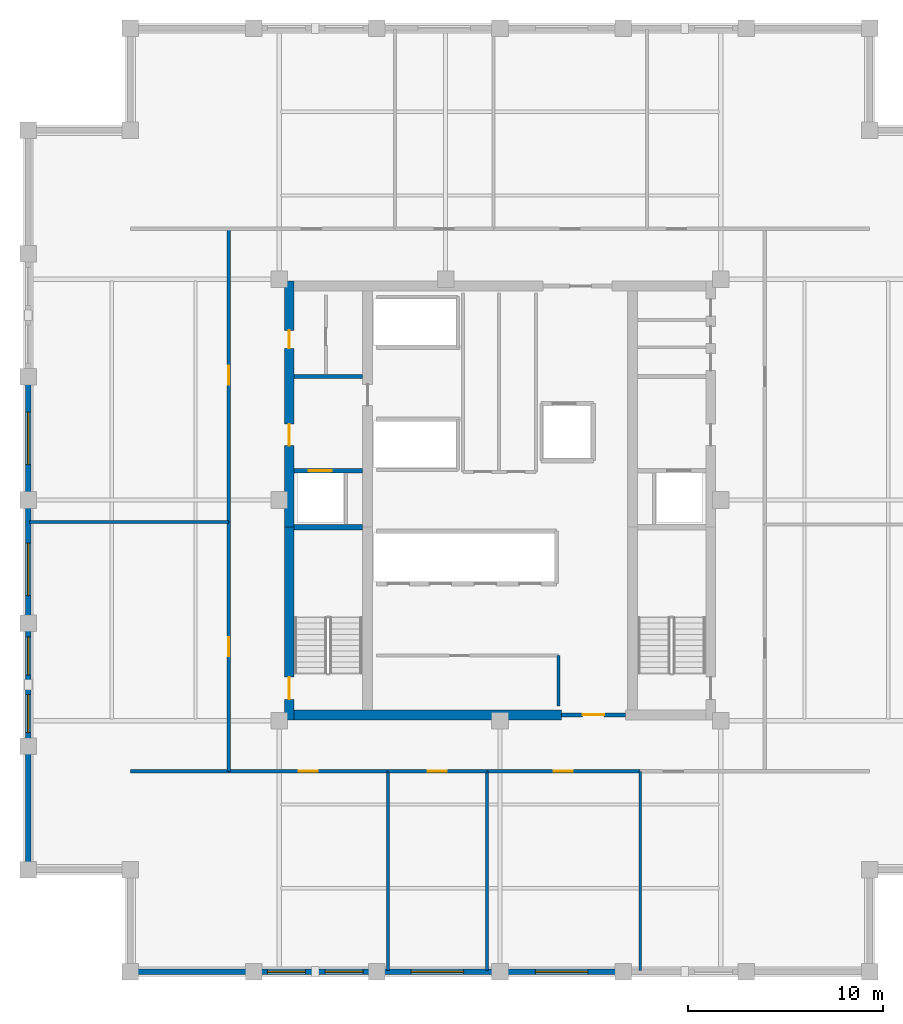
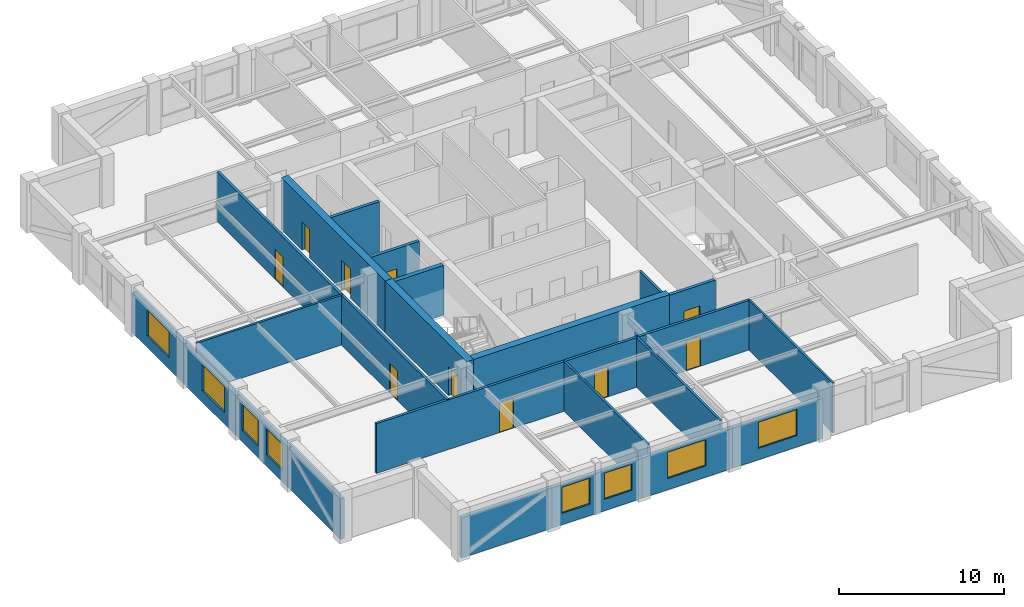
# One storey, part 2 of 6: 25 walls, 10 doors, 8 windows, 18 openings.
"""IFC4 building model written with IfcOpenShell, lengths in metres."""

import ifcopenshell
import ifcopenshell.guid

model = None  # the IFC model being written
_history = None  # IfcOwnerHistory: only IFC2X3 demands one
_inside = {}  # id of a spatial element -> (the spatial element, [elements in it])
_under = {}  # id of a project, library or spatial element -> (it, [spatial elements below it])
_declared = {}  # id of a project -> (the project, [libraries it declares])
_typed = {}  # id of a type object -> (the type object, [elements of that type])
_made_of = {}  # id of a material, layer set ... -> (it, [elements and type objects made of it])


def new_model(schema):
    """Start an empty IFC model of exactly this schema.

    Asked for "IFC4X3", IfcOpenShell would pick the latest addendum, in which some entities
    have other attributes; the version numbers below select the first issue.
    IFC2X3 requires an IfcOwnerHistory on every rooted entity: one is made here for all.
    """
    global model, _history
    if schema == "IFC4X3":
        model = ifcopenshell.file(schema_version=(4, 3, 0, 0))
    else:
        model = ifcopenshell.file(schema=schema)
    _inside.clear()
    _under.clear()
    _declared.clear()
    _typed.clear()
    _made_of.clear()
    _history = None
    if model.schema == "IFC2X3":
        org = make("IfcOrganization", Name="unknown")
        user = make(
            "IfcPersonAndOrganization",
            ThePerson=make("IfcPerson", FamilyName="unknown"),
            TheOrganization=org,
        )
        app = make(
            "IfcApplication",
            ApplicationDeveloper=org,
            Version="unknown",
            ApplicationFullName="unknown",
            ApplicationIdentifier="unknown",
        )
        _history = make(
            "IfcOwnerHistory",
            OwningUser=user,
            OwningApplication=app,
            ChangeAction="ADDED",
            CreationDate=0,
        )
    return model


def make(cls, **values):
    """One entity of the class cls with the attributes given. An attribute that is None is left unset."""
    return model.create_entity(
        cls, **{name: value for name, value in values.items() if value is not None}
    )


def rooted(cls, **values):
    """An entity with a GlobalId (a new one), such as an element, a storey or a relation."""
    return make(cls, GlobalId=ifcopenshell.guid.new(), OwnerHistory=_history, **values)


def si_unit(unit_type, name, prefix=None):
    """IfcSIUnit, for example si_unit("LENGTHUNIT", "METRE", prefix="MILLI")."""
    return make("IfcSIUnit", UnitType=unit_type, Prefix=prefix, Name=name)


def assignment(units):
    """IfcUnitAssignment: the units of a project."""
    return None if units is None else make("IfcUnitAssignment", Units=units)


def point(xyz):
    """IfcCartesianPoint."""
    return None if xyz is None else make("IfcCartesianPoint", Coordinates=xyz)


def direction(xyz):
    """IfcDirection."""
    return None if xyz is None else make("IfcDirection", DirectionRatios=xyz)


def frame(location, z_axis=None, x_axis=None):
    """IfcAxis2Placement3D, a coordinate frame: its origin and axes. An axis left out is left unset."""
    return make(
        "IfcAxis2Placement3D",
        Location=point(location),
        Axis=direction(z_axis),
        RefDirection=direction(x_axis),
    )


def frame_2d(location, x_axis=None):
    """IfcAxis2Placement2D, a coordinate frame in the plane: its origin and x axis."""
    return make(
        "IfcAxis2Placement2D", Location=point(location), RefDirection=direction(x_axis)
    )


def origin():
    """The frame at (0, 0, 0) with its axes left unset."""
    return frame((0.0, 0.0, 0.0))


def place(relative_to, where):
    """IfcLocalPlacement: puts the frame where relative to a parent placement (None: the world)."""
    return make(
        "IfcLocalPlacement", PlacementRelTo=relative_to, RelativePlacement=where
    )


def context(
    kind, dimensions, precision=None, world=None, true_north=None, identifier=None
):
    """IfcGeometricRepresentationContext, for example the 3D "Model" context."""
    return make(
        "IfcGeometricRepresentationContext",
        ContextIdentifier=identifier,
        ContextType=kind,
        CoordinateSpaceDimension=dimensions,
        Precision=precision,
        WorldCoordinateSystem=world,
        TrueNorth=true_north,
    )


def subcontext(parent, identifier, kind, view, scale=None):
    """IfcGeometricRepresentationSubContext, for example "Body" below "Model"."""
    return make(
        "IfcGeometricRepresentationSubContext",
        ContextIdentifier=identifier,
        ContextType=kind,
        ParentContext=parent,
        TargetScale=scale,
        TargetView=view,
    )


def project(units=None, contexts=None):
    """IfcProject with its units and contexts."""
    return rooted(
        "IfcProject",
        Name="project",
        RepresentationContexts=contexts,
        UnitsInContext=assignment(units),
    )


def spatial(cls, under=None, at=None, **own):
    """A site, building, storey or space (cls), placed at a placement, below another one or the project."""
    s = rooted(cls, ObjectPlacement=at, **own)
    if under is not None:
        _under.setdefault(under.id(), (under, []))[1].append(s)
    return s


def profile(cls, at=None, kind="AREA", **sizes):
    """A parametric profile (cls). Its sizes go by their IFC names, for example OverallWidth=200.0."""
    return make(cls, ProfileType=kind, Position=at, **sizes)


def rectangle(**sizes):
    """IfcRectangleProfileDef."""
    return profile("IfcRectangleProfileDef", **sizes)


def extrude(swept, where, along, depth):
    """IfcExtrudedAreaSolid: the profile swept, set in the frame where, extruded along a direction by depth."""
    return make(
        "IfcExtrudedAreaSolid",
        SweptArea=swept,
        Position=where,
        ExtrudedDirection=direction(along),
        Depth=depth,
    )


def shape(context_of_items, identifier, shape_type, items):
    """IfcShapeRepresentation: the items that make up one representation, for example the "Body"."""
    return make(
        "IfcShapeRepresentation",
        ContextOfItems=context_of_items,
        RepresentationIdentifier=identifier,
        RepresentationType=shape_type,
        Items=items,
    )


def material(Name=None, Category=None):
    """IfcMaterial."""
    return make("IfcMaterial", Name=Name, Category=Category)


def layer(
    of_material, thickness, ventilated=None, Name=None, Category=None, Priority=None
):
    """IfcMaterialLayer: one layer of a wall or slab, of a material (None: an air gap)."""
    return make(
        "IfcMaterialLayer",
        Material=of_material,
        LayerThickness=thickness,
        IsVentilated=ventilated,
        Name=Name,
        Category=Category,
        Priority=Priority,
    )


def layer_set(layers, Name=None):
    """IfcMaterialLayerSet."""
    return make("IfcMaterialLayerSet", MaterialLayers=layers, LayerSetName=Name)


def made_of(thing, what):
    """Note that an element or type object is made of a material, layer set ...; save() writes the relation."""
    if what is not None:
        _made_of.setdefault(what.id(), (what, []))[1].append(thing)
    return thing


def type_object(cls, material=None, **own):
    """A type object (cls), such as IfcWallType, which elements share."""
    return made_of(rooted(cls, **own), material)


def element(
    cls,
    number,
    at=None,
    inside=None,
    cuts=None,
    type_object=None,
    material=None,
    context=None,
    identifier="Body",
    shape_type=None,
    held_by="IfcProductDefinitionShape",
    body=None,
    shapes=None,
    **own,
):
    """One element of the class cls, such as IfcWall. Its Tag is "e" and its number.

    at: its placement. inside: the storey or other place that contains it. cuts: it is an
    opening in that element (IfcRelVoidsElement). A single representation is given by context,
    identifier, shape_type and body (its items); several are given by shapes. held_by: the class
    of the entity that holds the representations. save() writes the other relations.
    """
    e = rooted(cls, Tag="e%d" % number, ObjectPlacement=at, **own)
    if body is not None:
        shapes = [shape(context, identifier, shape_type, body)]
    if shapes is not None:
        e.Representation = make(held_by, Representations=shapes)
    if inside is not None:
        _inside.setdefault(inside.id(), (inside, []))[1].append(e)
    if cuts is not None:
        rooted(
            "IfcRelVoidsElement", RelatingBuildingElement=cuts, RelatedOpeningElement=e
        )
    if type_object is not None:
        _typed.setdefault(type_object.id(), (type_object, []))[1].append(e)
    return made_of(e, material)


def fill(opening, filler):
    """IfcRelFillsElement: the door or window that sits in an opening."""
    return rooted(
        "IfcRelFillsElement",
        RelatingOpeningElement=opening,
        RelatedBuildingElement=filler,
    )


def aggregate(whole, parts):
    """IfcRelAggregates: a whole, such as a stair, and the parts it consists of."""
    return rooted("IfcRelAggregates", RelatingObject=whole, RelatedObjects=parts)


def save(model, path):
    """Write the relations noted so far, then the file.

    IfcRelAggregates (storeys below a building ...), IfcRelContainedInSpatialStructure (elements
    in a storey), IfcRelDefinesByType, IfcRelAssociatesMaterial and IfcRelDeclares: one each for
    every whole, place, type object, material and project.
    """
    for whole, parts in _under.values():
        aggregate(whole, parts)
    for where, things in _inside.values():
        rooted(
            "IfcRelContainedInSpatialStructure",
            RelatedElements=things,
            RelatingStructure=where,
        )
    for kind, things in _typed.values():
        rooted("IfcRelDefinesByType", RelatedObjects=things, RelatingType=kind)
    for what, things in _made_of.values():
        rooted("IfcRelAssociatesMaterial", RelatedObjects=things, RelatingMaterial=what)
    for by, libraries in _declared.values():
        rooted("IfcRelDeclares", RelatingContext=by, RelatedDefinitions=libraries)
    model.write(path)


model = new_model("IFC4")

# Units and contexts
model_context = context("Model", 3, precision=1e-05, world=origin(), true_north=direction((0.0, 1.0)))
body_context = subcontext(model_context, "Body", "Model", "MODEL_VIEW")
ifc_project = project(units=[si_unit("LENGTHUNIT", "METRE"), si_unit("AREAUNIT", "SQUARE_METRE"), si_unit("VOLUMEUNIT", "CUBIC_METRE"), si_unit("PLANEANGLEUNIT", "RADIAN"), si_unit("MASSUNIT", "GRAM", prefix="KILO")], contexts=[model_context])

# Site, building, storey
site_placement = place(None, origin())
site = spatial("IfcSite", under=ifc_project, at=site_placement, CompositionType="ELEMENT")
building_placement = place(site_placement, origin())
building = spatial("IfcBuilding", under=site, at=building_placement, Name="Nhamokura Convention Tower", CompositionType="ELEMENT")
storey_placement = place(building_placement, frame((0.0, 0.0, 202.300048828125)))
storey = spatial("IfcBuildingStorey", under=building, at=storey_placement, Name="L49", CompositionType="ELEMENT", Elevation=202.300048828125)

# Wall
ifc_material_1 = material(Name="Bronze-pigmented precast concrete C45/55", Category="concrete")
ifc_layer_1 = layer(ifc_material_1, 0.280029296875)
ifc_layer_set_1 = layer_set([ifc_layer_1], Name="BronzePrecastSpandrel_280")
wall_type_1 = type_object("IfcWallType", Name="BronzePrecastSpandrel_280", PredefinedType="USERDEFINED", material=ifc_layer_set_1)
wall_1_placement = place(storey_placement, frame((19.333251953125, 7.75, 0.0), z_axis=(0.0, 0.0, 1.0), x_axis=(-1.0, 0.0, 0.0)))
element("IfcWall", 1, at=wall_1_placement, inside=storey, type_object=wall_type_1, Name="L49 Braced-Bay Precast Wall SOUTH 0", ObjectType="SPANDREL_WALL", PredefinedType="USERDEFINED", context=body_context, shape_type="SweptSolid", body=[
    extrude(rectangle(XDim=6.333251953125, YDim=0.280029296875, at=frame_2d((3.16650390625, 0.0))), origin(), (0.0, 0.0, 1.0), 2.98486328125),
])

# Wall, openings, windows
wall_2_placement = place(storey_placement, frame((25.666748046875, 7.75, 0.0), z_axis=(0.0, 0.0, 1.0), x_axis=(-1.0, 0.0, 0.0)))
wall_2 = element("IfcWall", 2, at=wall_2_placement, inside=storey, type_object=wall_type_1, Name="L49 Masonry-Frame Wall SOUTH 1", ObjectType="SPANDREL_WALL", PredefinedType="USERDEFINED", context=body_context, shape_type="SweptSolid", body=[
    extrude(rectangle(XDim=6.33349609375, YDim=0.280029296875, at=frame_2d((3.166748046875, 0.0))), origin(), (0.0, 0.0, 1.0), 2.98486328125),
])
opening_1_placement = place(wall_2_placement, frame((0.708251953125, 0.0, 0.85009765625)))
opening_1 = element("IfcOpeningElement", 3, at=opening_1_placement, cuts=wall_2, Name="Opening W-08", PredefinedType="OPENING", context=body_context, shape_type="SweptSolid", body=[
    extrude(rectangle(XDim=1.949951171875, YDim=1.93505859375, at=frame_2d((0.97509765625, 0.967529296875))), frame((0.0, 0.14990234375, 0.0), z_axis=(0.0, -1.0, 0.0), x_axis=(1.0, 0.0, 0.0)), (0.0, 0.0, 1.0), 0.300048828125),
])
opening_2_placement = place(wall_2_placement, frame((3.675048828125, 0.0, 0.85009765625)))
opening_2 = element("IfcOpeningElement", 4, at=opening_2_placement, cuts=wall_2, Name="Opening W-08", PredefinedType="OPENING", context=body_context, shape_type="SweptSolid", body=[
    extrude(rectangle(XDim=1.949951171875, YDim=1.93505859375, at=frame_2d((0.97509765625, 0.967529296875))), frame((0.0, 0.14990234375, 0.0), z_axis=(0.0, -1.0, 0.0), x_axis=(1.0, 0.0, 0.0)), (0.0, 0.0, 1.0), 0.300048828125),
])
ifc_material_2 = material(Name="Solar-control bronze low-E double glass", Category="glass")
window_type_1 = type_object("IfcWindowType", Name="OfficeModuleWindow_Z3_1950", PartitioningType="SINGLE_PANEL", PredefinedType="WINDOW", material=ifc_material_2)
window_1_placement = place(opening_1_placement, origin())
window_1 = element("IfcWindow", 5, at=window_1_placement, inside=storey, type_object=window_type_1, Name="L49 Facade Window SOUTH 1-1", OverallHeight=1.93505859375, OverallWidth=1.949951171875, PartitioningType="SINGLE_PANEL", PredefinedType="WINDOW", context=body_context, shape_type="SweptSolid", body=[
    extrude(rectangle(XDim=1.949951171875, YDim=1.93505859375, at=frame_2d((0.97509765625, 0.967529296875))), frame((0.0, 0.030029296875, 0.0), z_axis=(0.0, -1.0, 0.0), x_axis=(1.0, 0.0, 0.0)), (0.0, 0.0, 1.0), 0.06005859375),
])
fill(opening_1, window_1)
window_2_placement = place(opening_2_placement, origin())
window_2 = element("IfcWindow", 6, at=window_2_placement, inside=storey, type_object=window_type_1, Name="L49 Facade Window SOUTH 1-2", OverallHeight=1.93505859375, OverallWidth=1.949951171875, PartitioningType="SINGLE_PANEL", PredefinedType="WINDOW", context=body_context, shape_type="SweptSolid", body=[
    extrude(rectangle(XDim=1.949951171875, YDim=1.93505859375, at=frame_2d((0.97509765625, 0.967529296875))), frame((0.0, 0.030029296875, 0.0), z_axis=(0.0, -1.0, 0.0), x_axis=(1.0, 0.0, 0.0)), (0.0, 0.0, 1.0), 0.06005859375),
])
fill(opening_2, window_2)

# Wall, opening, window
wall_3_placement = place(storey_placement, frame((32.0, 7.75, 0.0), z_axis=(0.0, 0.0, 1.0), x_axis=(-1.0, 0.0, 0.0)))
wall_3 = element("IfcWall", 7, at=wall_3_placement, inside=storey, type_object=wall_type_1, Name="L49 Masonry-Frame Wall SOUTH 2", ObjectType="SPANDREL_WALL", PredefinedType="USERDEFINED", context=body_context, shape_type="SweptSolid", body=[
    extrude(rectangle(XDim=6.333251953125, YDim=0.280029296875, at=frame_2d((3.16650390625, 0.0))), origin(), (0.0, 0.0, 1.0), 2.98486328125),
])
opening_3_placement = place(wall_3_placement, frame((1.86669921875, 0.0, 0.85009765625)))
opening_3 = element("IfcOpeningElement", 8, at=opening_3_placement, cuts=wall_3, Name="Opening W-07", PredefinedType="OPENING", context=body_context, shape_type="SweptSolid", body=[
    extrude(rectangle(XDim=2.699951171875, YDim=1.93505859375, at=frame_2d((1.35009765625, 0.967529296875))), frame((0.0, 0.14990234375, 0.0), z_axis=(0.0, -1.0, 0.0), x_axis=(1.0, 0.0, 0.0)), (0.0, 0.0, 1.0), 0.300048828125),
])
ifc_material_3 = material(Name="Solar-control bronze low-E double glass", Category="glass")
window_type_2 = type_object("IfcWindowType", Name="OfficeModuleWindow_Z3_2700", PartitioningType="DOUBLE_PANEL_VERTICAL", PredefinedType="WINDOW", material=ifc_material_3)
window_3_placement = place(opening_3_placement, origin())
window_3 = element("IfcWindow", 9, at=window_3_placement, inside=storey, type_object=window_type_2, Name="L49 Facade Window SOUTH 2", OverallHeight=1.93505859375, OverallWidth=2.699951171875, PartitioningType="SINGLE_PANEL", PredefinedType="WINDOW", context=body_context, shape_type="SweptSolid", body=[
    extrude(rectangle(XDim=2.699951171875, YDim=1.93505859375, at=frame_2d((1.35009765625, 0.967529296875))), frame((0.0, 0.030029296875, 0.0), z_axis=(0.0, -1.0, 0.0), x_axis=(1.0, 0.0, 0.0)), (0.0, 0.0, 1.0), 0.06005859375),
])
fill(opening_3, window_3)

wall_4_placement = place(storey_placement, frame((38.333251953125, 7.75, 0.0), z_axis=(0.0, 0.0, 1.0), x_axis=(-1.0, 0.0, 0.0)))
wall_4 = element("IfcWall", 10, at=wall_4_placement, inside=storey, type_object=wall_type_1, Name="L49 Masonry-Frame Wall SOUTH 3", ObjectType="SPANDREL_WALL", PredefinedType="USERDEFINED", context=body_context, shape_type="SweptSolid", body=[
    extrude(rectangle(XDim=6.333251953125, YDim=0.280029296875, at=frame_2d((3.16650390625, 0.0))), origin(), (0.0, 0.0, 1.0), 2.98486328125),
])
opening_4_placement = place(wall_4_placement, frame((1.816650390625, 0.0, 0.85009765625)))
opening_4 = element("IfcOpeningElement", 11, at=opening_4_placement, cuts=wall_4, Name="Opening W-07", PredefinedType="OPENING", context=body_context, shape_type="SweptSolid", body=[
    extrude(rectangle(XDim=2.699951171875, YDim=1.93505859375, at=frame_2d((1.35009765625, 0.967529296875))), frame((0.0, 0.14990234375, 0.0), z_axis=(0.0, -1.0, 0.0), x_axis=(1.0, 0.0, 0.0)), (0.0, 0.0, 1.0), 0.300048828125),
])
window_4_placement = place(opening_4_placement, origin())
window_4 = element("IfcWindow", 12, at=window_4_placement, inside=storey, type_object=window_type_2, Name="L49 Facade Window SOUTH 3", OverallHeight=1.93505859375, OverallWidth=2.699951171875, PartitioningType="SINGLE_PANEL", PredefinedType="WINDOW", context=body_context, shape_type="SweptSolid", body=[
    extrude(rectangle(XDim=2.699951171875, YDim=1.93505859375, at=frame_2d((1.35009765625, 0.967529296875))), frame((0.0, 0.030029296875, 0.0), z_axis=(0.0, -1.0, 0.0), x_axis=(1.0, 0.0, 0.0)), (0.0, 0.0, 1.0), 0.06005859375),
])
fill(opening_4, window_4)

# Wall
wall_5_placement = place(storey_placement, frame((7.75, 13.0, 0.0), z_axis=(0.0, 0.0, 1.0), x_axis=(0.0, 1.0, 0.0)))
element("IfcWall", 13, at=wall_5_placement, inside=storey, type_object=wall_type_1, Name="L49 Braced-Bay Precast Wall WEST 0", ObjectType="SPANDREL_WALL", PredefinedType="USERDEFINED", context=body_context, shape_type="SweptSolid", body=[
    extrude(rectangle(XDim=6.333251953125, YDim=0.280029296875, at=frame_2d((3.16650390625, 0.0))), origin(), (0.0, 0.0, 1.0), 2.98486328125),
])

# Wall, openings, windows
wall_6_placement = place(storey_placement, frame((7.75, 19.333251953125, 0.0), z_axis=(0.0, 0.0, 1.0), x_axis=(0.0, 1.0, 0.0)))
wall_6 = element("IfcWall", 14, at=wall_6_placement, inside=storey, type_object=wall_type_1, Name="L49 Masonry-Frame Wall WEST 1", ObjectType="SPANDREL_WALL", PredefinedType="USERDEFINED", context=body_context, shape_type="SweptSolid", body=[
    extrude(rectangle(XDim=6.33349609375, YDim=0.280029296875, at=frame_2d((3.166748046875, 0.0))), origin(), (0.0, 0.0, 1.0), 2.98486328125),
])
opening_5_placement = place(wall_6_placement, frame((0.708251953125, 0.0, 0.85009765625)))
opening_5 = element("IfcOpeningElement", 15, at=opening_5_placement, cuts=wall_6, Name="Opening W-08", PredefinedType="OPENING", context=body_context, shape_type="SweptSolid", body=[
    extrude(rectangle(XDim=1.949951171875, YDim=1.93505859375, at=frame_2d((0.97509765625, 0.967529296875))), frame((0.0, 0.14990234375, 0.0), z_axis=(0.0, -1.0, 0.0), x_axis=(1.0, 0.0, 0.0)), (0.0, 0.0, 1.0), 0.300048828125),
])
opening_6_placement = place(wall_6_placement, frame((3.675048828125, 0.0, 0.85009765625)))
opening_6 = element("IfcOpeningElement", 16, at=opening_6_placement, cuts=wall_6, Name="Opening W-08", PredefinedType="OPENING", context=body_context, shape_type="SweptSolid", body=[
    extrude(rectangle(XDim=1.949951171875, YDim=1.93505859375, at=frame_2d((0.97509765625, 0.967529296875))), frame((0.0, 0.14990234375, 0.0), z_axis=(0.0, -1.0, 0.0), x_axis=(1.0, 0.0, 0.0)), (0.0, 0.0, 1.0), 0.300048828125),
])
window_5_placement = place(opening_5_placement, origin())
window_5 = element("IfcWindow", 17, at=window_5_placement, inside=storey, type_object=window_type_1, Name="L49 Facade Window WEST 1-1", OverallHeight=1.93505859375, OverallWidth=1.949951171875, PartitioningType="SINGLE_PANEL", PredefinedType="WINDOW", context=body_context, shape_type="SweptSolid", body=[
    extrude(rectangle(XDim=1.949951171875, YDim=1.93505859375, at=frame_2d((0.97509765625, 0.967529296875))), frame((0.0, 0.030029296875, 0.0), z_axis=(0.0, -1.0, 0.0), x_axis=(1.0, 0.0, 0.0)), (0.0, 0.0, 1.0), 0.06005859375),
])
fill(opening_5, window_5)
window_6_placement = place(opening_6_placement, origin())
window_6 = element("IfcWindow", 18, at=window_6_placement, inside=storey, type_object=window_type_1, Name="L49 Facade Window WEST 1-2", OverallHeight=1.93505859375, OverallWidth=1.949951171875, PartitioningType="SINGLE_PANEL", PredefinedType="WINDOW", context=body_context, shape_type="SweptSolid", body=[
    extrude(rectangle(XDim=1.949951171875, YDim=1.93505859375, at=frame_2d((0.97509765625, 0.967529296875))), frame((0.0, 0.030029296875, 0.0), z_axis=(0.0, -1.0, 0.0), x_axis=(1.0, 0.0, 0.0)), (0.0, 0.0, 1.0), 0.06005859375),
])
fill(opening_6, window_6)

# Wall, opening, window
wall_7_placement = place(storey_placement, frame((7.75, 25.666748046875, 0.0), z_axis=(0.0, 0.0, 1.0), x_axis=(0.0, 1.0, 0.0)))
wall_7 = element("IfcWall", 19, at=wall_7_placement, inside=storey, type_object=wall_type_1, Name="L49 Masonry-Frame Wall WEST 2", ObjectType="SPANDREL_WALL", PredefinedType="USERDEFINED", context=body_context, shape_type="SweptSolid", body=[
    extrude(rectangle(XDim=6.333251953125, YDim=0.280029296875, at=frame_2d((3.16650390625, 0.0))), origin(), (0.0, 0.0, 1.0), 2.98486328125),
])
opening_7_placement = place(wall_7_placement, frame((1.416748046875, 0.0, 0.85009765625)))
opening_7 = element("IfcOpeningElement", 20, at=opening_7_placement, cuts=wall_7, Name="Opening W-07", PredefinedType="OPENING", context=body_context, shape_type="SweptSolid", body=[
    extrude(rectangle(XDim=2.699951171875, YDim=1.93505859375, at=frame_2d((1.35009765625, 0.967529296875))), frame((0.0, 0.14990234375, 0.0), z_axis=(0.0, -1.0, 0.0), x_axis=(1.0, 0.0, 0.0)), (0.0, 0.0, 1.0), 0.300048828125),
])
window_7_placement = place(opening_7_placement, origin())
window_7 = element("IfcWindow", 21, at=window_7_placement, inside=storey, type_object=window_type_2, Name="L49 Facade Window WEST 2-1", OverallHeight=1.93505859375, OverallWidth=2.699951171875, PartitioningType="SINGLE_PANEL", PredefinedType="WINDOW", context=body_context, shape_type="SweptSolid", body=[
    extrude(rectangle(XDim=2.699951171875, YDim=1.93505859375, at=frame_2d((1.35009765625, 0.967529296875))), frame((0.0, 0.030029296875, 0.0), z_axis=(0.0, -1.0, 0.0), x_axis=(1.0, 0.0, 0.0)), (0.0, 0.0, 1.0), 0.06005859375),
])
fill(opening_7, window_7)

wall_8_placement = place(storey_placement, frame((7.75, 32.0, 0.0), z_axis=(0.0, 0.0, 1.0), x_axis=(0.0, 1.0, 0.0)))
wall_8 = element("IfcWall", 22, at=wall_8_placement, inside=storey, type_object=wall_type_1, Name="L49 Masonry-Frame Wall WEST 3", ObjectType="SPANDREL_WALL", PredefinedType="USERDEFINED", context=body_context, shape_type="SweptSolid", body=[
    extrude(rectangle(XDim=6.333251953125, YDim=0.280029296875, at=frame_2d((3.16650390625, 0.0))), origin(), (0.0, 0.0, 1.0), 2.98486328125),
])
opening_8_placement = place(wall_8_placement, frame((1.816650390625, 0.0, 0.85009765625)))
opening_8 = element("IfcOpeningElement", 23, at=opening_8_placement, cuts=wall_8, Name="Opening W-07", PredefinedType="OPENING", context=body_context, shape_type="SweptSolid", body=[
    extrude(rectangle(XDim=2.699951171875, YDim=1.93505859375, at=frame_2d((1.35009765625, 0.967529296875))), frame((0.0, 0.14990234375, 0.0), z_axis=(0.0, -1.0, 0.0), x_axis=(1.0, 0.0, 0.0)), (0.0, 0.0, 1.0), 0.300048828125),
])
window_8_placement = place(opening_8_placement, origin())
window_8 = element("IfcWindow", 24, at=window_8_placement, inside=storey, type_object=window_type_2, Name="L49 Facade Window WEST 3", OverallHeight=1.93505859375, OverallWidth=2.699951171875, PartitioningType="SINGLE_PANEL", PredefinedType="WINDOW", context=body_context, shape_type="SweptSolid", body=[
    extrude(rectangle(XDim=2.699951171875, YDim=1.93505859375, at=frame_2d((1.35009765625, 0.967529296875))), frame((0.0, 0.030029296875, 0.0), z_axis=(0.0, -1.0, 0.0), x_axis=(1.0, 0.0, 0.0)), (0.0, 0.0, 1.0), 0.06005859375),
])
fill(opening_8, window_8)

# Wall, opening, door
ifc_material_4 = material(Name="Concrete C60/75", Category="concrete")
ifc_layer_2 = layer(ifc_material_4, 0.5)
ifc_layer_set_2 = layer_set([ifc_layer_2], Name="CoreShearWall_500")
wall_type_2 = type_object("IfcWallType", Name="CoreShearWall_500", PredefinedType="SHEAR", material=ifc_layer_set_2)
wall_9_placement = place(storey_placement, frame((21.159912109375, 20.699951171875, 0.0), z_axis=(0.0, 0.0, 1.0), x_axis=(0.0, 1.0, 0.0)))
wall_9 = element("IfcWall", 25, at=wall_9_placement, inside=storey, type_object=wall_type_2, Name="L49 Core Shear Wall CW-WS", PredefinedType="SHEAR", context=body_context, shape_type="SweptSolid", body=[
    extrude(rectangle(XDim=9.900146484375, YDim=0.5, at=frame_2d((4.9501953125, 0.0))), origin(), (0.0, 0.0, 1.0), 3.849853515625),
])
opening_9_placement = place(wall_9_placement, frame((1.050048828125, 0.0, 0.0)))
opening_9 = element("IfcOpeningElement", 26, at=opening_9_placement, cuts=wall_9, Name="Opening D-04", PredefinedType="OPENING", context=body_context, shape_type="SweptSolid", body=[
    extrude(rectangle(XDim=1.14990234375, YDim=2.14990234375, at=frame_2d((0.574951171875, 1.074951171875))), frame((0.0, 0.260009765625, 0.0), z_axis=(0.0, -1.0, 0.0), x_axis=(1.0, 0.0, 0.0)), (0.0, 0.0, 1.0), 0.52001953125),
])
ifc_material_5 = material(Name="Fire-rated steel door", Category="steel")
door_type_1 = type_object("IfcDoorType", Name="StairSmokeDoor_1150", OperationType="NOTDEFINED", PredefinedType="DOOR", material=ifc_material_5)
door_1_placement = place(opening_9_placement, origin())
door_1 = element("IfcDoor", 27, at=door_1_placement, inside=storey, type_object=door_type_1, Name="L49 Core Door INT-L49-D-ST01", OperationType="SINGLE_SWING_LEFT", OverallHeight=2.14990234375, OverallWidth=1.14990234375, PredefinedType="DOOR", context=body_context, shape_type="SweptSolid", body=[
    extrude(rectangle(XDim=1.14990234375, YDim=2.14990234375, at=frame_2d((0.574951171875, 1.074951171875))), frame((0.0, 0.02490234375, 0.0), z_axis=(0.0, -1.0, 0.0), x_axis=(1.0, 0.0, 0.0)), (0.0, 0.0, 1.0), 0.050048828125),
])
fill(opening_9, door_1)

# Wall, openings, doors
wall_10_placement = place(storey_placement, frame((21.159912109375, 30.60009765625, 0.0), z_axis=(0.0, 0.0, 1.0), x_axis=(0.0, 1.0, 0.0)))
wall_10 = element("IfcWall", 28, at=wall_10_placement, inside=storey, type_object=wall_type_2, Name="L49 Core Shear Wall CW-WN", PredefinedType="SHEAR", context=body_context, shape_type="SweptSolid", body=[
    extrude(rectangle(XDim=12.64990234375, YDim=0.5, at=frame_2d((6.324951171875, 0.0))), origin(), (0.0, 0.0, 1.0), 3.849853515625),
])
opening_10_placement = place(wall_10_placement, frame((4.199951171875, 0.0, 0.0)))
opening_10 = element("IfcOpeningElement", 29, at=opening_10_placement, cuts=wall_10, Name="Opening D-05", PredefinedType="OPENING", context=body_context, shape_type="SweptSolid", body=[
    extrude(rectangle(XDim=1.10009765625, YDim=2.14990234375, at=frame_2d((0.550048828125, 1.074951171875))), frame((0.0, 0.260009765625, 0.0), z_axis=(0.0, -1.0, 0.0), x_axis=(1.0, 0.0, 0.0)), (0.0, 0.0, 1.0), 0.52001953125),
])
opening_11_placement = place(wall_10_placement, frame((9.199951171875, 0.0, 0.0)))
opening_11 = element("IfcOpeningElement", 30, at=opening_11_placement, cuts=wall_10, Name="Opening D-10", PredefinedType="OPENING", context=body_context, shape_type="SweptSolid", body=[
    extrude(rectangle(XDim=0.919921875, YDim=2.10009765625, at=frame_2d((0.4599609375, 1.050048828125))), frame((0.0, 0.260009765625, 0.0), z_axis=(0.0, -1.0, 0.0), x_axis=(1.0, 0.0, 0.0)), (0.0, 0.0, 1.0), 0.52001953125),
])
ifc_material_6 = material(Name="Solid oak hardwood", Category="wood")
door_type_2 = type_object("IfcDoorType", Name="AccessibleWCDoor_920", OperationType="NOTDEFINED", PredefinedType="DOOR", material=ifc_material_6)
door_2_placement = place(opening_11_placement, origin())
door_2 = element("IfcDoor", 31, at=door_2_placement, inside=storey, type_object=door_type_2, Name="L49 Core Door INT-L49-D-AWCW", OperationType="SINGLE_SWING_RIGHT", OverallHeight=2.10009765625, OverallWidth=0.919921875, PredefinedType="DOOR", context=body_context, shape_type="SweptSolid", body=[
    extrude(rectangle(XDim=0.919921875, YDim=2.10009765625, at=frame_2d((0.4599609375, 1.050048828125))), frame((0.0, 0.02490234375, 0.0), z_axis=(0.0, -1.0, 0.0), x_axis=(1.0, 0.0, 0.0)), (0.0, 0.0, 1.0), 0.050048828125),
])
fill(opening_11, door_2)
ifc_material_7 = material(Name="Fire-rated steel door", Category="steel")
door_type_3 = type_object("IfcDoorType", Name="FireLobbyDoor_1100", OperationType="NOTDEFINED", PredefinedType="DOOR", material=ifc_material_7)
door_3_placement = place(opening_10_placement, origin())
door_3 = element("IfcDoor", 32, at=door_3_placement, inside=storey, type_object=door_type_3, Name="L49 Core Door INT-L49-D-FFLW", OperationType="SINGLE_SWING_RIGHT", OverallHeight=2.14990234375, OverallWidth=1.10009765625, PredefinedType="DOOR", context=body_context, shape_type="SweptSolid", body=[
    extrude(rectangle(XDim=1.10009765625, YDim=2.14990234375, at=frame_2d((0.550048828125, 1.074951171875))), frame((0.0, 0.02490234375, 0.0), z_axis=(0.0, -1.0, 0.0), x_axis=(1.0, 0.0, 0.0)), (0.0, 0.0, 1.0), 0.050048828125),
])
fill(opening_10, door_3)

# Wall
wall_11_placement = place(storey_placement, frame((21.409912109375, 20.949951171875, 0.0), z_axis=(0.0, 0.0, 1.0), x_axis=(1.0, 0.0, 0.0)))
element("IfcWall", 33, at=wall_11_placement, inside=storey, type_object=wall_type_2, Name="L49 Core Shear Wall CW-S1", PredefinedType="SHEAR", context=body_context, shape_type="SweptSolid", body=[
    extrude(rectangle(XDim=13.739990234375, YDim=0.5, at=frame_2d((6.8701171875, 0.0))), origin(), (0.0, 0.0, 1.0), 3.849853515625),
])

# Wall, opening, door
ifc_material_8 = material(Name="Fire-rated gypsum and masonry partition", Category="masonry")
ifc_layer_3 = layer(ifc_material_8, 0.179931640625)
ifc_layer_set_3 = layer_set([ifc_layer_3], Name="CorridorRatedWall_180")
wall_type_3 = type_object("IfcWallType", Name="CorridorRatedWall_180", PredefinedType="STANDARD", material=ifc_layer_set_3)
wall_12_placement = place(storey_placement, frame((13.0, 18.050048828125, 0.0), z_axis=(0.0, 0.0, 1.0), x_axis=(1.0, 0.0, 0.0)))
wall_12 = element("IfcWall", 34, at=wall_12_placement, inside=storey, type_object=wall_type_3, Name="L49 Wall INT-L49-CW-S00", PredefinedType="STANDARD", context=body_context, shape_type="SweptSolid", body=[
    extrude(rectangle(XDim=13.24169921875, YDim=0.179931640625, at=frame_2d((6.620849609375, 0.0))), origin(), (0.0, 0.0, 1.0), 3.68505859375),
])
opening_12_placement = place(wall_12_placement, frame((8.64599609375, 0.0, 0.0)))
opening_12 = element("IfcOpeningElement", 35, at=opening_12_placement, cuts=wall_12, Name="Opening D-08", PredefinedType="OPENING", context=body_context, shape_type="SweptSolid", body=[
    extrude(rectangle(XDim=0.97998046875, YDim=2.199951171875, at=frame_2d((0.489990234375, 1.10009765625))), frame((0.0, 0.099853515625, 0.0), z_axis=(0.0, -1.0, 0.0), x_axis=(1.0, 0.0, 0.0)), (0.0, 0.0, 1.0), 0.199951171875),
])
ifc_material_9 = material(Name="Solid oak hardwood", Category="wood")
door_type_4 = type_object("IfcDoorType", Name="OfficeEntryDoor_980", OperationType="NOTDEFINED", PredefinedType="DOOR", material=ifc_material_9)
door_4_placement = place(opening_12_placement, origin())
door_4 = element("IfcDoor", 36, at=door_4_placement, inside=storey, type_object=door_type_4, Name="L49 Private Office S01 Door", OperationType="SINGLE_SWING_LEFT", OverallHeight=2.199951171875, OverallWidth=0.97998046875, PredefinedType="DOOR", context=body_context, shape_type="SweptSolid", body=[
    extrude(rectangle(XDim=0.97998046875, YDim=2.199951171875, at=frame_2d((0.489990234375, 1.10009765625))), frame((0.0, 0.02490234375, 0.0), z_axis=(0.0, -1.0, 0.0), x_axis=(1.0, 0.0, 0.0)), (0.0, 0.0, 1.0), 0.050048828125),
])
fill(opening_12, door_4)

wall_13_placement = place(storey_placement, frame((26.24169921875, 18.050048828125, 0.0), z_axis=(0.0, 0.0, 1.0), x_axis=(1.0, 0.0, 0.0)))
wall_13 = element("IfcWall", 37, at=wall_13_placement, inside=storey, type_object=wall_type_3, Name="L49 Wall INT-L49-CW-S01", PredefinedType="STANDARD", context=body_context, shape_type="SweptSolid", body=[
    extrude(rectangle(XDim=5.083251953125, YDim=0.179931640625, at=frame_2d((2.54150390625, 0.0))), origin(), (0.0, 0.0, 1.0), 3.68505859375),
])
opening_13_placement = place(wall_13_placement, frame((2.04150390625, 0.0, 0.0)))
opening_13 = element("IfcOpeningElement", 38, at=opening_13_placement, cuts=wall_13, Name="Opening D-08", PredefinedType="OPENING", context=body_context, shape_type="SweptSolid", body=[
    extrude(rectangle(XDim=0.97998046875, YDim=2.199951171875, at=frame_2d((0.489990234375, 1.10009765625))), frame((0.0, 0.099853515625, 0.0), z_axis=(0.0, -1.0, 0.0), x_axis=(1.0, 0.0, 0.0)), (0.0, 0.0, 1.0), 0.199951171875),
])
door_5_placement = place(opening_13_placement, origin())
door_5 = element("IfcDoor", 39, at=door_5_placement, inside=storey, type_object=door_type_4, Name="L49 Private Office S02 Door", OperationType="SINGLE_SWING_RIGHT", OverallHeight=2.199951171875, OverallWidth=0.97998046875, PredefinedType="DOOR", context=body_context, shape_type="SweptSolid", body=[
    extrude(rectangle(XDim=0.97998046875, YDim=2.199951171875, at=frame_2d((0.489990234375, 1.10009765625))), frame((0.0, 0.02490234375, 0.0), z_axis=(0.0, -1.0, 0.0), x_axis=(1.0, 0.0, 0.0)), (0.0, 0.0, 1.0), 0.050048828125),
])
fill(opening_13, door_5)

wall_14_placement = place(storey_placement, frame((31.324951171875, 18.050048828125, 0.0), z_axis=(0.0, 0.0, 1.0), x_axis=(1.0, 0.0, 0.0)))
wall_14 = element("IfcWall", 40, at=wall_14_placement, inside=storey, type_object=wall_type_3, Name="L49 Wall INT-L49-CW-S02", PredefinedType="STANDARD", context=body_context, shape_type="SweptSolid", body=[
    extrude(rectangle(XDim=7.88330078125, YDim=0.179931640625, at=frame_2d((3.941650390625, 0.0))), origin(), (0.0, 0.0, 1.0), 3.68505859375),
])
opening_14_placement = place(wall_14_placement, frame((3.441650390625, 0.0, 0.0)))
opening_14 = element("IfcOpeningElement", 41, at=opening_14_placement, cuts=wall_14, Name="Opening D-08", PredefinedType="OPENING", context=body_context, shape_type="SweptSolid", body=[
    extrude(rectangle(XDim=0.97998046875, YDim=2.199951171875, at=frame_2d((0.489990234375, 1.10009765625))), frame((0.0, 0.099853515625, 0.0), z_axis=(0.0, -1.0, 0.0), x_axis=(1.0, 0.0, 0.0)), (0.0, 0.0, 1.0), 0.199951171875),
])
door_6_placement = place(opening_14_placement, origin())
door_6 = element("IfcDoor", 42, at=door_6_placement, inside=storey, type_object=door_type_4, Name="L49 Meeting Room S03 Door", OperationType="SINGLE_SWING_LEFT", OverallHeight=2.199951171875, OverallWidth=0.97998046875, PredefinedType="DOOR", context=body_context, shape_type="SweptSolid", body=[
    extrude(rectangle(XDim=0.97998046875, YDim=2.199951171875, at=frame_2d((0.489990234375, 1.10009765625))), frame((0.0, 0.02490234375, 0.0), z_axis=(0.0, -1.0, 0.0), x_axis=(1.0, 0.0, 0.0)), (0.0, 0.0, 1.0), 0.050048828125),
])
fill(opening_14, door_6)

wall_15_placement = place(storey_placement, frame((18.050048828125, 18.050048828125, 0.0), z_axis=(0.0, 0.0, 1.0), x_axis=(0.0, 1.0, 0.0)))
wall_15 = element("IfcWall", 43, at=wall_15_placement, inside=storey, type_object=wall_type_3, Name="L49 Wall INT-L49-CW-W00", PredefinedType="STANDARD", context=body_context, shape_type="SweptSolid", body=[
    extrude(rectangle(XDim=12.824951171875, YDim=0.179931640625, at=frame_2d((6.41259765625, 0.0))), origin(), (0.0, 0.0, 1.0), 3.68505859375),
])
opening_15_placement = place(wall_15_placement, frame((5.91259765625, 0.0, 0.0)))
opening_15 = element("IfcOpeningElement", 44, at=opening_15_placement, cuts=wall_15, Name="Opening D-08", PredefinedType="OPENING", context=body_context, shape_type="SweptSolid", body=[
    extrude(rectangle(XDim=0.97998046875, YDim=2.199951171875, at=frame_2d((0.489990234375, 1.10009765625))), frame((0.0, 0.099853515625, 0.0), z_axis=(0.0, -1.0, 0.0), x_axis=(1.0, 0.0, 0.0)), (0.0, 0.0, 1.0), 0.199951171875),
])
door_7_placement = place(opening_15_placement, origin())
door_7 = element("IfcDoor", 45, at=door_7_placement, inside=storey, type_object=door_type_4, Name="L49 Private Office W01 Door", OperationType="SINGLE_SWING_LEFT", OverallHeight=2.199951171875, OverallWidth=0.97998046875, PredefinedType="DOOR", context=body_context, shape_type="SweptSolid", body=[
    extrude(rectangle(XDim=0.97998046875, YDim=2.199951171875, at=frame_2d((0.489990234375, 1.10009765625))), frame((0.0, 0.02490234375, 0.0), z_axis=(0.0, -1.0, 0.0), x_axis=(1.0, 0.0, 0.0)), (0.0, 0.0, 1.0), 0.050048828125),
])
fill(opening_15, door_7)

wall_16_placement = place(storey_placement, frame((18.050048828125, 30.875, 0.0), z_axis=(0.0, 0.0, 1.0), x_axis=(0.0, 1.0, 0.0)))
wall_16 = element("IfcWall", 46, at=wall_16_placement, inside=storey, type_object=wall_type_3, Name="L49 Wall INT-L49-CW-W01", PredefinedType="STANDARD", context=body_context, shape_type="SweptSolid", body=[
    extrude(rectangle(XDim=15.074951171875, YDim=0.179931640625, at=frame_2d((7.53759765625, 0.0))), origin(), (0.0, 0.0, 1.0), 3.68505859375),
])
opening_16_placement = place(wall_16_placement, frame((7.03759765625, 0.0, 0.0)))
opening_16 = element("IfcOpeningElement", 47, at=opening_16_placement, cuts=wall_16, Name="Opening D-08", PredefinedType="OPENING", context=body_context, shape_type="SweptSolid", body=[
    extrude(rectangle(XDim=0.97998046875, YDim=2.199951171875, at=frame_2d((0.489990234375, 1.10009765625))), frame((0.0, 0.099853515625, 0.0), z_axis=(0.0, -1.0, 0.0), x_axis=(1.0, 0.0, 0.0)), (0.0, 0.0, 1.0), 0.199951171875),
])
door_8_placement = place(opening_16_placement, origin())
door_8 = element("IfcDoor", 48, at=door_8_placement, inside=storey, type_object=door_type_4, Name="L49 Reception Lounge W02 Door", OperationType="SINGLE_SWING_RIGHT", OverallHeight=2.199951171875, OverallWidth=0.97998046875, PredefinedType="DOOR", context=body_context, shape_type="SweptSolid", body=[
    extrude(rectangle(XDim=0.97998046875, YDim=2.199951171875, at=frame_2d((0.489990234375, 1.10009765625))), frame((0.0, 0.02490234375, 0.0), z_axis=(0.0, -1.0, 0.0), x_axis=(1.0, 0.0, 0.0)), (0.0, 0.0, 1.0), 0.050048828125),
])
fill(opening_16, door_8)

ifc_material_10 = material(Name="Autoclaved concrete blockwork", Category="masonry")
ifc_layer_4 = layer(ifc_material_10, 0.219970703125)
ifc_layer_set_4 = layer_set([ifc_layer_4], Name="FireLobbyWall_220")
wall_type_4 = type_object("IfcWallType", Name="FireLobbyWall_220", PredefinedType="STANDARD", material=ifc_layer_set_4)
wall_17_placement = place(storey_placement, frame((21.409912109375, 33.5, 0.0), z_axis=(0.0, 0.0, 1.0), x_axis=(1.0, 0.0, 0.0)))
wall_17 = element("IfcWall", 49, at=wall_17_placement, inside=storey, type_object=wall_type_4, Name="L49 Wall INT-L49-FFW-S", PredefinedType="STANDARD", context=body_context, shape_type="SweptSolid", body=[
    extrude(rectangle(XDim=3.530029296875, YDim=0.219970703125, at=frame_2d((1.76513671875, 0.0))), origin(), (0.0, 0.0, 1.0), 3.68505859375),
])
opening_17_placement = place(wall_17_placement, frame((0.75, 0.0, 0.0)))
opening_17 = element("IfcOpeningElement", 50, at=opening_17_placement, cuts=wall_17, Name="Opening LD-02", PredefinedType="OPENING", context=body_context, shape_type="SweptSolid", body=[
    extrude(rectangle(XDim=1.199951171875, YDim=2.199951171875, at=frame_2d((0.60009765625, 1.10009765625))), frame((0.0, 0.119873046875, 0.0), z_axis=(0.0, -1.0, 0.0), x_axis=(1.0, 0.0, 0.0)), (0.0, 0.0, 1.0), 0.239990234375),
])
ifc_material_11 = material(Name="Anodised bronze stainless steel", Category="steel")
door_type_5 = type_object("IfcDoorType", Name="LiftLandingDoor_FireService", OperationType="DOUBLE_DOOR_SLIDING", PredefinedType="DOOR", material=ifc_material_11)
door_9_placement = place(opening_17_placement, origin())
door_9 = element("IfcDoor", 51, at=door_9_placement, inside=storey, type_object=door_type_5, Name="L49 Firefighting Lift LF-01 Door", OperationType="DOUBLE_DOOR_SLIDING", OverallHeight=2.199951171875, OverallWidth=1.199951171875, PredefinedType="DOOR", context=body_context, shape_type="SweptSolid", body=[
    extrude(rectangle(XDim=1.199951171875, YDim=2.199951171875, at=frame_2d((0.60009765625, 1.10009765625))), frame((0.0, 0.02490234375, 0.0), z_axis=(0.0, -1.0, 0.0), x_axis=(1.0, 0.0, 0.0)), (0.0, 0.0, 1.0), 0.050048828125),
])
fill(opening_17, door_9)

# Wall
wall_18_placement = place(storey_placement, frame((21.409912109375, 38.35009765625, 0.0), z_axis=(0.0, 0.0, 1.0), x_axis=(1.0, 0.0, 0.0)))
element("IfcWall", 52, at=wall_18_placement, inside=storey, type_object=wall_type_4, Name="L49 Wall INT-L49-FFW-N", PredefinedType="STANDARD", context=body_context, shape_type="SweptSolid", body=[
    extrude(rectangle(XDim=3.530029296875, YDim=0.219970703125, at=frame_2d((1.76513671875, 0.0))), origin(), (0.0, 0.0, 1.0), 3.68505859375),
])

# Wall, opening, door
wall_19_placement = place(storey_placement, frame((35.14990234375, 20.949951171875, 0.0), z_axis=(0.0, 0.0, 1.0), x_axis=(1.0, 0.0, 0.0)))
wall_19 = element("IfcWall", 53, at=wall_19_placement, inside=storey, type_object=wall_type_4, Name="L49 Wall INT-L49-SPORT-S", PredefinedType="STANDARD", context=body_context, shape_type="SweptSolid", body=[
    extrude(rectangle(XDim=3.300048828125, YDim=0.219970703125, at=frame_2d((1.64990234375, 0.0))), origin(), (0.0, 0.0, 1.0), 3.68505859375),
])
opening_18_placement = place(wall_19_placement, frame((1.10009765625, 0.0, 0.0)))
opening_18 = element("IfcOpeningElement", 54, at=opening_18_placement, cuts=wall_19, Name="Opening D-05", PredefinedType="OPENING", context=body_context, shape_type="SweptSolid", body=[
    extrude(rectangle(XDim=1.10009765625, YDim=2.14990234375, at=frame_2d((0.550048828125, 1.074951171875))), frame((0.0, 0.119873046875, 0.0), z_axis=(0.0, -1.0, 0.0), x_axis=(1.0, 0.0, 0.0)), (0.0, 0.0, 1.0), 0.239990234375),
])
door_10_placement = place(opening_18_placement, origin())
door_10 = element("IfcDoor", 55, at=door_10_placement, inside=storey, type_object=door_type_3, Name="L49 South Core Lobby Portal Door", OperationType="SINGLE_SWING_LEFT", OverallHeight=2.14990234375, OverallWidth=1.10009765625, PredefinedType="DOOR", context=body_context, shape_type="SweptSolid", body=[
    extrude(rectangle(XDim=1.10009765625, YDim=2.14990234375, at=frame_2d((0.550048828125, 1.074951171875))), frame((0.0, 0.02490234375, 0.0), z_axis=(0.0, -1.0, 0.0), x_axis=(1.0, 0.0, 0.0)), (0.0, 0.0, 1.0), 0.050048828125),
])
fill(opening_18, door_10)

# Walls
ifc_material_12 = material(Name="Acoustic gypsum stud partition", Category="masonry")
ifc_layer_5 = layer(ifc_material_12, 0.14990234375)
ifc_layer_set_5 = layer_set([ifc_layer_5], Name="InteriorPartition_150")
wall_type_5 = type_object("IfcWallType", Name="InteriorPartition_150", PredefinedType="STANDARD", material=ifc_layer_set_5)
wall_20_placement = place(storey_placement, frame((35.0, 21.39990234375, 0.0), z_axis=(0.0, 0.0, 1.0), x_axis=(0.0, 1.0, 0.0)))
element("IfcWall", 56, at=wall_20_placement, inside=storey, type_object=wall_type_5, Name="L49 Wall INT-L49-B1R-E", PredefinedType="STANDARD", context=body_context, shape_type="SweptSolid", body=[
    extrude(rectangle(XDim=2.60009765625, YDim=0.14990234375, at=frame_2d((1.300048828125, 0.0))), origin(), (0.0, 0.0, 1.0), 3.68505859375),
])
for number, where, z_axis, x_axis, name in (
    (57, (26.24169921875, 7.81005859375, 0.0), (0.0, 0.0, 1.0), (0.0, 1.0, 0.0), "L49 Wall INT-L49-RW-S01"),
    (58, (31.324951171875, 7.81005859375, 0.0), (0.0, 0.0, 1.0), (0.0, 1.0, 0.0), "L49 Wall INT-L49-RW-S02"),
    (59, (39.208251953125, 7.81005859375, 0.0), (0.0, 0.0, 1.0), (0.0, 1.0, 0.0), "L49 Wall INT-L49-RW-S03"),
    (60, (7.81005859375, 30.875, 0.0), (0.0, 0.0, 1.0), (1.0, 0.0, 0.0), "L49 Wall INT-L49-RW-W01"),
):
    element("IfcWall", number, at=place(storey_placement, frame(where, z_axis=z_axis, x_axis=x_axis)), inside=storey, type_object=wall_type_5, Name=name, PredefinedType="STANDARD", context=body_context, shape_type="SweptSolid", body=[
        extrude(rectangle(XDim=10.239990234375, YDim=0.14990234375, at=frame_2d((5.1201171875, 0.0))), origin(), (0.0, 0.0, 1.0), 3.68505859375),
    ])
ifc_material_13 = material(Name="Concrete C50/60", Category="concrete")
ifc_layer_6 = layer(ifc_material_13, 0.300048828125)
ifc_layer_set_6 = layer_set([ifc_layer_6], Name="ShaftEnclosureWall_300")
wall_type_6 = type_object("IfcWallType", Name="ShaftEnclosureWall_300", PredefinedType="SHEAR", material=ifc_layer_set_6)
wall_21_placement = place(storey_placement, frame((21.409912109375, 30.60009765625, 0.0), z_axis=(0.0, 0.0, 1.0), x_axis=(1.0, 0.0, 0.0)))
element("IfcWall", 61, at=wall_21_placement, inside=storey, type_object=wall_type_6, Name="L49 Wall INT-L49-ST01-N", PredefinedType="SHEAR", context=body_context, shape_type="SweptSolid", body=[
    extrude(rectangle(XDim=3.530029296875, YDim=0.300048828125, at=frame_2d((1.76513671875, 0.0))), origin(), (0.0, 0.0, 1.0), 3.68505859375),
])

save(model, "model.ifc")
